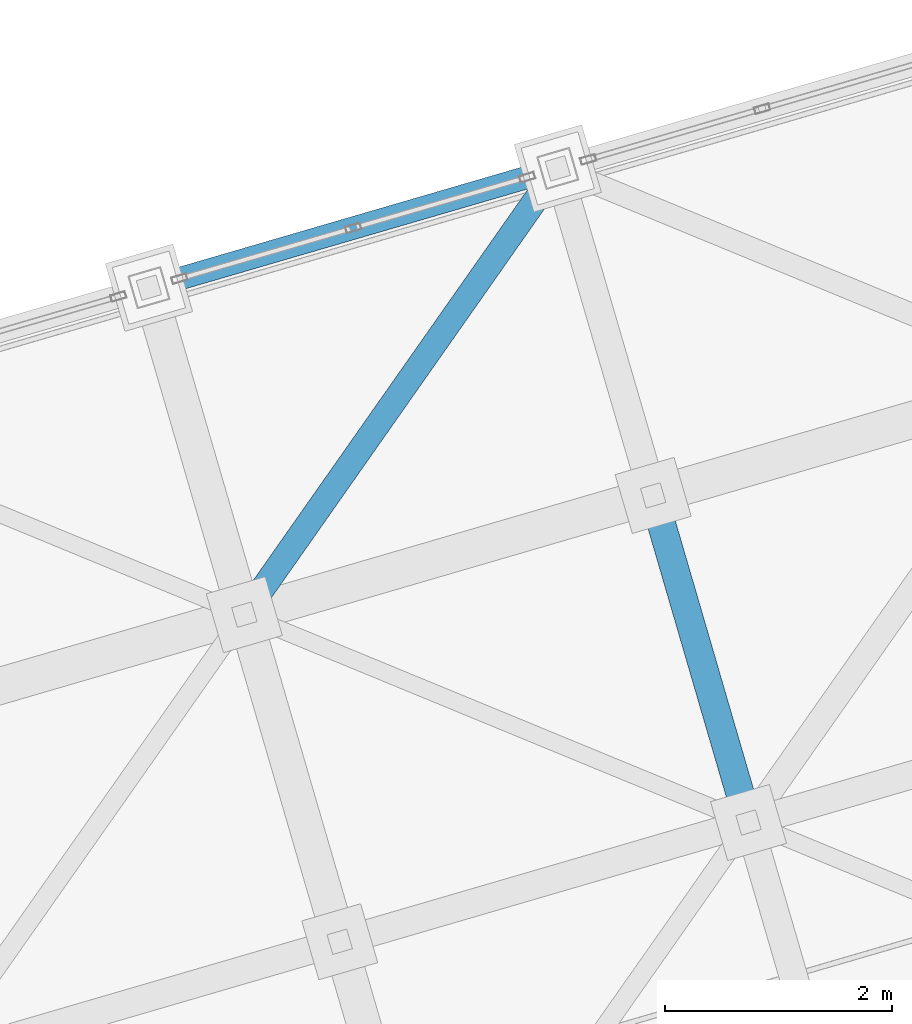
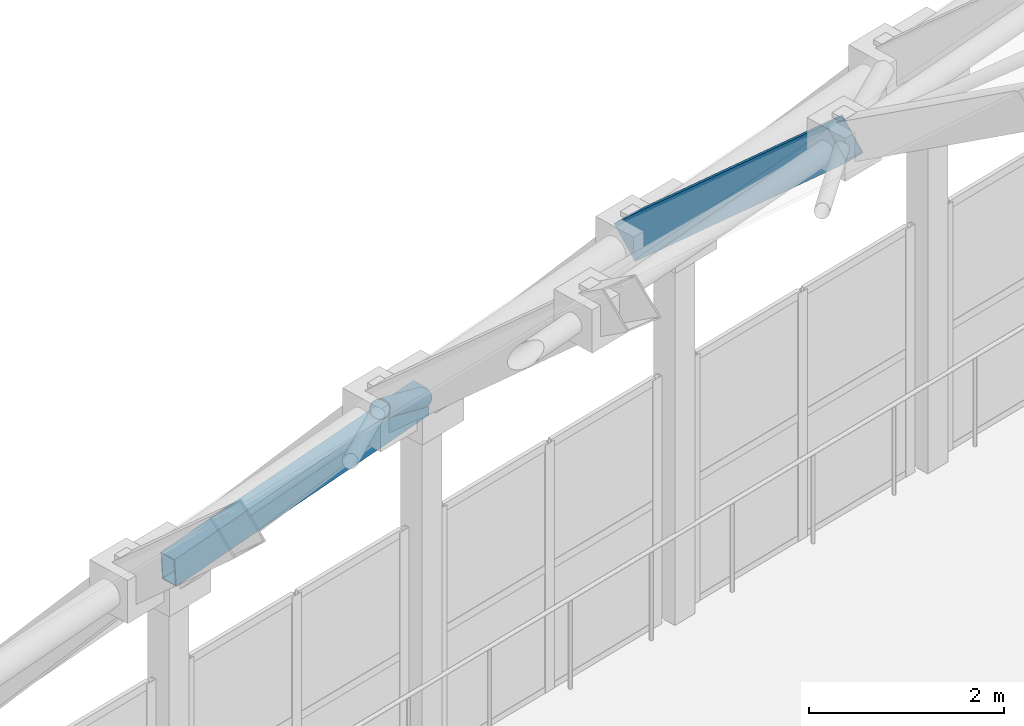
# One storey, part 56 of 248: 2 beams, 1 member.
"""IFC4 building model written with IfcOpenShell, lengths in metres."""

from ifc_helpers import new_model, si_unit, direction, frame, origin, origin_2d, place, context, subcontext, project, spatial, hollow_rectangle, hollow_circle, extrude, material, material_profile, profile_set, type_object, element, save


model = new_model("IFC4")

# Units and contexts
model_context = context("Model", 3, precision=1e-05, world=origin(), true_north=direction((0.0, 1.0)))
body_context = subcontext(model_context, "Body", "Model", "MODEL_VIEW")
ifc_project = project(units=[si_unit("LENGTHUNIT", "METRE"), si_unit("AREAUNIT", "SQUARE_METRE"), si_unit("VOLUMEUNIT", "CUBIC_METRE"), si_unit("PLANEANGLEUNIT", "RADIAN"), si_unit("MASSUNIT", "GRAM", prefix="KILO")], contexts=[model_context])

# Site, building, storey
site_placement = place(None, origin())
site = spatial("IfcSite", under=ifc_project, at=site_placement, CompositionType="ELEMENT")
building_placement = place(site_placement, origin())
building = spatial("IfcBuilding", under=site, at=building_placement, Name="Canggui Botanical Conservatory", CompositionType="ELEMENT")
storey_placement = place(building_placement, frame((0.0, 0.0, 5.39990234375)))
storey = spatial("IfcBuildingStorey", under=building, at=storey_placement, Name="L02", CompositionType="ELEMENT", Elevation=5.39990234375)

# Beams
ifc_material = material(Name="Steel Q355C", Category="steel")
ifc_material_profile_1 = material_profile(ifc_material, hollow_rectangle(XDim=0.25, YDim=0.449951171875, WallThickness=0.013916015625, at=origin_2d()), Name="RHS 250x450x14")
ifc_profile_set_1 = profile_set([ifc_material_profile_1], Name="Steel Q355C")
beam_type_1 = type_object("IfcBeamType", Name="BM-GJ02", PredefinedType="BEAM", material=ifc_profile_set_1)
beam_1_placement = place(storey_placement, frame((27.679931640625, 69.239990234375, 10.744140625), z_axis=(-0.208495222194, 0.715005272157, -0.667305929173), x_axis=(-0.960017315421, -0.279940626011, 0.0)))
element("IfcBeam", 1, at=beam_1_placement, inside=storey, type_object=beam_type_1, Name="Conservatory Stepped-Arch Rib GJ-05 Segment 9", PredefinedType="BEAM", context=body_context, shape_type="SweptSolid", body=[
    extrude(hollow_rectangle(XDim=0.25, YDim=0.449951171875, WallThickness=0.013916015625, at=origin_2d()), origin(), (0.0, 0.0, 1.0), 4.028076171875),
])
ifc_material_profile_2 = material_profile(ifc_material, hollow_rectangle(XDim=0.199951171875, YDim=0.35009765625, WallThickness=0.011962890625, at=origin_2d()), Name="RHS 200x350x12")
ifc_profile_set_2 = profile_set([ifc_material_profile_2], Name="Steel Q355C")
beam_type_2 = type_object("IfcBeamType", Name="BM-RING01", PredefinedType="BEAM", material=ifc_profile_set_2)
beam_2_placement = place(storey_placement, frame((22.39990234375, 73.949951171875, 4.35009765625), z_axis=(0.957872417874, 0.27938486839, 0.066517113516), x_axis=(-0.280004999853, 0.959998541695, 0.0)))
element("IfcBeam", 2, at=beam_2_placement, inside=storey, type_object=beam_type_2, Name="Conservatory Perimeter Ring Beam V1-04", PredefinedType="BEAM", context=body_context, shape_type="SweptSolid", body=[
    extrude(hollow_rectangle(XDim=0.199951171875, YDim=0.35009765625, WallThickness=0.011962890625, at=origin_2d()), origin(), (0.0, 0.0, 1.0), 3.758544921875),
])

# Member
ifc_material_profile_3 = material_profile(ifc_material, hollow_circle(Radius=0.109619140625, WallThickness=0.008056640625, at=origin_2d()), Name="CHS 219x8")
ifc_profile_set_3 = profile_set([ifc_material_profile_3], Name="Steel Q355C")
member_type = type_object("IfcMemberType", Name="MEM-GSD01", PredefinedType="RAFTER", material=ifc_profile_set_3)
member_placement = place(storey_placement, frame((23.239990234375, 71.070068359375, 7.80615234375), z_axis=(0.477994158586, 0.680607870035, -0.555242750159), x_axis=(-0.818344854073, 0.574727500484, 0.0)))
element("IfcMember", 3, at=member_placement, inside=storey, type_object=member_type, Name="Conservatory Gridshell Diagrid Rafter 4-10", PredefinedType="RAFTER", context=body_context, shape_type="SweptSolid", body=[
    extrude(hollow_circle(Radius=0.109619140625, WallThickness=0.008056640625, at=origin_2d()), origin(), (0.0, 0.0, 1.0), 5.774169921875),
])

save(model, "model.ifc")
